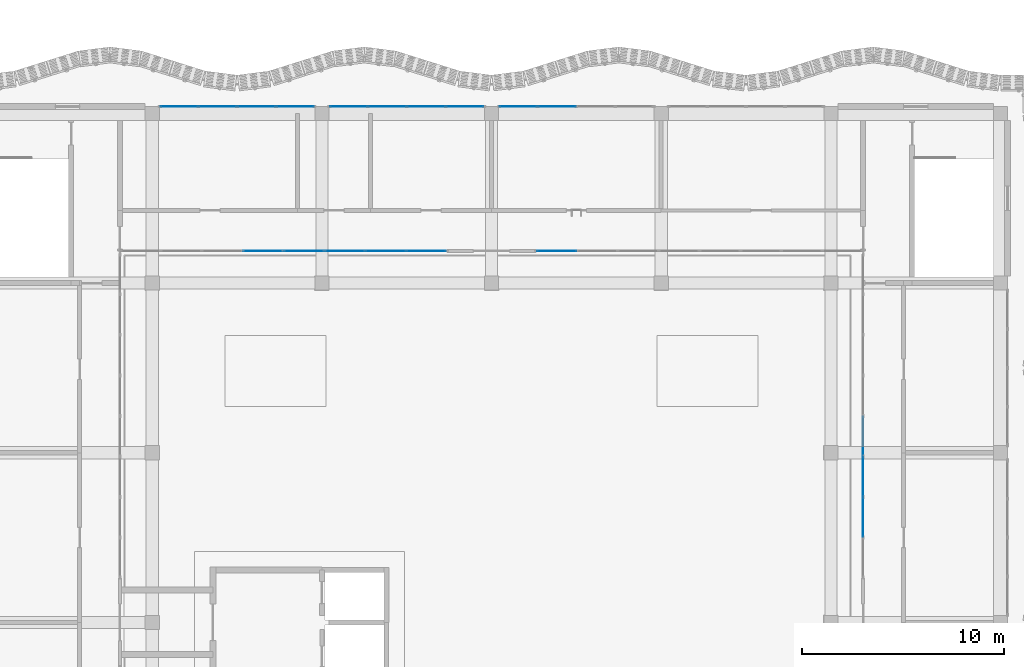
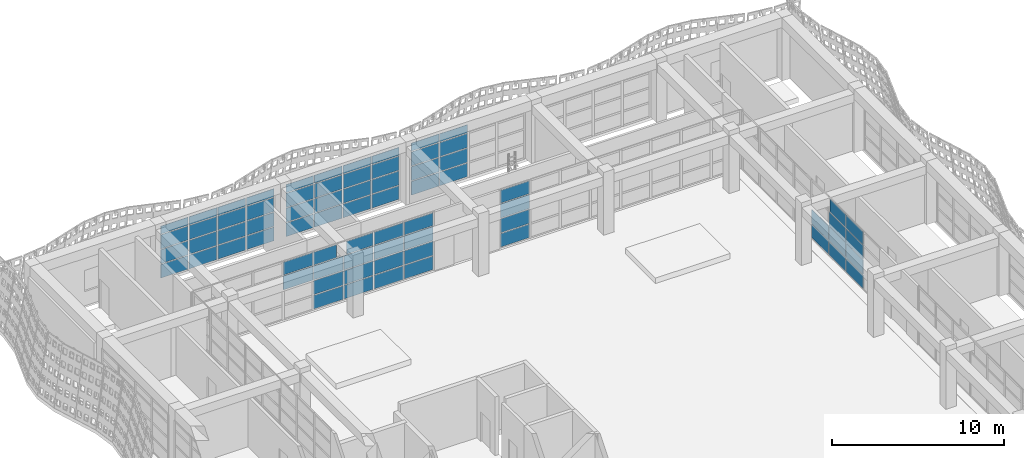
# One storey, part 32 of 85: 72 plates, 6 elements without a shape of their own.
"""IFC4 building model written with IfcOpenShell, lengths in metres."""

from ifc_helpers import new_model, si_unit, direction, frame, origin, origin_2d, place, context, subcontext, project, spatial, rectangle, extrude, material, layer, layer_set, type_object, element, aggregate, save


model = new_model("IFC4")

# Units and contexts
model_context = context("Model", 3, precision=1e-05, world=origin(), true_north=direction((0.0, 1.0)))
body_context = subcontext(model_context, "Body", "Model", "MODEL_VIEW")
ifc_project = project(units=[si_unit("LENGTHUNIT", "METRE"), si_unit("AREAUNIT", "SQUARE_METRE"), si_unit("VOLUMEUNIT", "CUBIC_METRE"), si_unit("PLANEANGLEUNIT", "RADIAN"), si_unit("MASSUNIT", "GRAM", prefix="KILO")], contexts=[model_context])

# Site, building, storey
site_placement = place(None, origin())
site = spatial("IfcSite", under=ifc_project, at=site_placement, CompositionType="ELEMENT")
building_placement = place(site_placement, origin())
building = spatial("IfcBuilding", under=site, at=building_placement, Name="Rain Tree Exposition and Congress Centre", CompositionType="ELEMENT")
storey_placement = place(building_placement, frame((0.0, 0.0, 15.0)))
storey = spatial("IfcBuildingStorey", under=building, at=storey_placement, Name="L03", CompositionType="ELEMENT", Elevation=15.0)

# Curtain wall, plates
ifc_material_1 = material(Name="Aluminium curtain wall", Category="aluminium")
curtain_wall_type = type_object("IfcCurtainWallType", Name="Wing curtain wall 1925", PredefinedType="NOTDEFINED", material=ifc_material_1)
curtain_wall_1_placement = place(storey_placement, origin())
curtain_wall_1 = element("IfcCurtainWall", 1, at=curtain_wall_1_placement, inside=storey, type_object=curtain_wall_type, Name="Curtain wall CWW404", PredefinedType="NOTDEFINED")
ifc_material_2 = material(Name="Double glazed unit", Category="glass")
ifc_layer = layer(ifc_material_2, 0.028076171875)
ifc_layer_set = layer_set([ifc_layer], Name="Double glazed unit")
plate_type = type_object("IfcPlateType", Name="Wing glazing panel 28", PredefinedType="CURTAIN_PANEL", material=ifc_layer_set)
plate_1_placement = place(storey_placement, frame((9.7275390625, 50.75, 0.06005859375), z_axis=(0.0, 0.0, 1.0), x_axis=(1.0, 0.0, 0.0)))
plate_1 = element("IfcPlate", 2, at=plate_1_placement, type_object=plate_type, Name="CWW404 panel 1.1", PredefinedType="CURTAIN_PANEL", context=body_context, shape_type="SweptSolid", body=[
    extrude(rectangle(XDim=1.8349609375, YDim=0.028076171875, at=origin_2d()), origin(), (0.0, 0.0, 1.0), 0.9599609375),
])
plate_2_placement = place(storey_placement, frame((9.7275390625, 50.75, 1.080078125), z_axis=(0.0, 0.0, 1.0), x_axis=(1.0, 0.0, 0.0)))
plate_2 = element("IfcPlate", 3, at=plate_2_placement, type_object=plate_type, Name="CWW404 panel 1.2", PredefinedType="CURTAIN_PANEL", context=body_context, shape_type="SweptSolid", body=[
    extrude(rectangle(XDim=1.8349609375, YDim=0.028076171875, at=origin_2d()), origin(), (0.0, 0.0, 1.0), 0.989990234375),
])
plate_3_placement = place(storey_placement, frame((9.7275390625, 50.75, 2.1298828125), z_axis=(0.0, 0.0, 1.0), x_axis=(1.0, 0.0, 0.0)))
plate_3 = element("IfcPlate", 4, at=plate_3_placement, type_object=plate_type, Name="CWW404 panel 1.3", PredefinedType="CURTAIN_PANEL", context=body_context, shape_type="SweptSolid", body=[
    extrude(rectangle(XDim=1.8349609375, YDim=0.028076171875, at=origin_2d()), origin(), (0.0, 0.0, 1.0), 0.989990234375),
])
plate_4_placement = place(storey_placement, frame((9.7275390625, 50.75, 3.179931640625), z_axis=(0.0, 0.0, 1.0), x_axis=(1.0, 0.0, 0.0)))
plate_4 = element("IfcPlate", 5, at=plate_4_placement, type_object=plate_type, Name="CWW404 panel 1.4", PredefinedType="CURTAIN_PANEL", context=body_context, shape_type="SweptSolid", body=[
    extrude(rectangle(XDim=1.8349609375, YDim=0.028076171875, at=origin_2d()), origin(), (0.0, 0.0, 1.0), 0.56005859375),
])
plate_5_placement = place(storey_placement, frame((11.637451171875, 50.75, 0.06005859375), z_axis=(0.0, 0.0, 1.0), x_axis=(1.0, 0.0, 0.0)))
plate_5 = element("IfcPlate", 6, at=plate_5_placement, type_object=plate_type, Name="CWW404 panel 2.1", PredefinedType="CURTAIN_PANEL", context=body_context, shape_type="SweptSolid", body=[
    extrude(rectangle(XDim=1.864990234375, YDim=0.028076171875, at=origin_2d()), origin(), (0.0, 0.0, 1.0), 0.9599609375),
])
plate_6_placement = place(storey_placement, frame((11.637451171875, 50.75, 1.080078125), z_axis=(0.0, 0.0, 1.0), x_axis=(1.0, 0.0, 0.0)))
plate_6 = element("IfcPlate", 7, at=plate_6_placement, type_object=plate_type, Name="CWW404 panel 2.2", PredefinedType="CURTAIN_PANEL", context=body_context, shape_type="SweptSolid", body=[
    extrude(rectangle(XDim=1.864990234375, YDim=0.028076171875, at=origin_2d()), origin(), (0.0, 0.0, 1.0), 0.989990234375),
])
plate_7_placement = place(storey_placement, frame((11.637451171875, 50.75, 2.1298828125), z_axis=(0.0, 0.0, 1.0), x_axis=(1.0, 0.0, 0.0)))
plate_7 = element("IfcPlate", 8, at=plate_7_placement, type_object=plate_type, Name="CWW404 panel 2.3", PredefinedType="CURTAIN_PANEL", context=body_context, shape_type="SweptSolid", body=[
    extrude(rectangle(XDim=1.864990234375, YDim=0.028076171875, at=origin_2d()), origin(), (0.0, 0.0, 1.0), 0.989990234375),
])
plate_8_placement = place(storey_placement, frame((11.637451171875, 50.75, 3.179931640625), z_axis=(0.0, 0.0, 1.0), x_axis=(1.0, 0.0, 0.0)))
plate_8 = element("IfcPlate", 9, at=plate_8_placement, type_object=plate_type, Name="CWW404 panel 2.4", PredefinedType="CURTAIN_PANEL", context=body_context, shape_type="SweptSolid", body=[
    extrude(rectangle(XDim=1.864990234375, YDim=0.028076171875, at=origin_2d()), origin(), (0.0, 0.0, 1.0), 0.56005859375),
])
plate_9_placement = place(storey_placement, frame((13.5625, 50.75, 0.06005859375), z_axis=(0.0, 0.0, 1.0), x_axis=(1.0, 0.0, 0.0)))
plate_9 = element("IfcPlate", 10, at=plate_9_placement, type_object=plate_type, Name="CWW404 panel 3.1", PredefinedType="CURTAIN_PANEL", context=body_context, shape_type="SweptSolid", body=[
    extrude(rectangle(XDim=1.864990234375, YDim=0.028076171875, at=origin_2d()), origin(), (0.0, 0.0, 1.0), 0.9599609375),
])
plate_10_placement = place(storey_placement, frame((13.5625, 50.75, 1.080078125), z_axis=(0.0, 0.0, 1.0), x_axis=(1.0, 0.0, 0.0)))
plate_10 = element("IfcPlate", 11, at=plate_10_placement, type_object=plate_type, Name="CWW404 panel 3.2", PredefinedType="CURTAIN_PANEL", context=body_context, shape_type="SweptSolid", body=[
    extrude(rectangle(XDim=1.864990234375, YDim=0.028076171875, at=origin_2d()), origin(), (0.0, 0.0, 1.0), 0.989990234375),
])
plate_11_placement = place(storey_placement, frame((13.5625, 50.75, 2.1298828125), z_axis=(0.0, 0.0, 1.0), x_axis=(1.0, 0.0, 0.0)))
plate_11 = element("IfcPlate", 12, at=plate_11_placement, type_object=plate_type, Name="CWW404 panel 3.3", PredefinedType="CURTAIN_PANEL", context=body_context, shape_type="SweptSolid", body=[
    extrude(rectangle(XDim=1.864990234375, YDim=0.028076171875, at=origin_2d()), origin(), (0.0, 0.0, 1.0), 0.989990234375),
])
plate_12_placement = place(storey_placement, frame((13.5625, 50.75, 3.179931640625), z_axis=(0.0, 0.0, 1.0), x_axis=(1.0, 0.0, 0.0)))
plate_12 = element("IfcPlate", 13, at=plate_12_placement, type_object=plate_type, Name="CWW404 panel 3.4", PredefinedType="CURTAIN_PANEL", context=body_context, shape_type="SweptSolid", body=[
    extrude(rectangle(XDim=1.864990234375, YDim=0.028076171875, at=origin_2d()), origin(), (0.0, 0.0, 1.0), 0.56005859375),
])
plate_13_placement = place(storey_placement, frame((15.472412109375, 50.75, 0.06005859375), z_axis=(0.0, 0.0, 1.0), x_axis=(1.0, 0.0, 0.0)))
plate_13 = element("IfcPlate", 14, at=plate_13_placement, type_object=plate_type, Name="CWW404 panel 4.1", PredefinedType="CURTAIN_PANEL", context=body_context, shape_type="SweptSolid", body=[
    extrude(rectangle(XDim=1.8349609375, YDim=0.028076171875, at=origin_2d()), origin(), (0.0, 0.0, 1.0), 0.9599609375),
])
plate_14_placement = place(storey_placement, frame((15.472412109375, 50.75, 1.080078125), z_axis=(0.0, 0.0, 1.0), x_axis=(1.0, 0.0, 0.0)))
plate_14 = element("IfcPlate", 15, at=plate_14_placement, type_object=plate_type, Name="CWW404 panel 4.2", PredefinedType="CURTAIN_PANEL", context=body_context, shape_type="SweptSolid", body=[
    extrude(rectangle(XDim=1.8349609375, YDim=0.028076171875, at=origin_2d()), origin(), (0.0, 0.0, 1.0), 0.989990234375),
])
plate_15_placement = place(storey_placement, frame((15.472412109375, 50.75, 2.1298828125), z_axis=(0.0, 0.0, 1.0), x_axis=(1.0, 0.0, 0.0)))
plate_15 = element("IfcPlate", 16, at=plate_15_placement, type_object=plate_type, Name="CWW404 panel 4.3", PredefinedType="CURTAIN_PANEL", context=body_context, shape_type="SweptSolid", body=[
    extrude(rectangle(XDim=1.8349609375, YDim=0.028076171875, at=origin_2d()), origin(), (0.0, 0.0, 1.0), 0.989990234375),
])
plate_16_placement = place(storey_placement, frame((15.472412109375, 50.75, 3.179931640625), z_axis=(0.0, 0.0, 1.0), x_axis=(1.0, 0.0, 0.0)))
plate_16 = element("IfcPlate", 17, at=plate_16_placement, type_object=plate_type, Name="CWW404 panel 4.4", PredefinedType="CURTAIN_PANEL", context=body_context, shape_type="SweptSolid", body=[
    extrude(rectangle(XDim=1.8349609375, YDim=0.028076171875, at=origin_2d()), origin(), (0.0, 0.0, 1.0), 0.56005859375),
])
aggregate(curtain_wall_1, [plate_1, plate_2, plate_3, plate_4, plate_5, plate_6, plate_7, plate_8, plate_9, plate_10, plate_11, plate_12, plate_13, plate_14, plate_15, plate_16])

curtain_wall_2_placement = place(storey_placement, origin())
curtain_wall_2 = element("IfcCurtainWall", 18, at=curtain_wall_2_placement, inside=storey, type_object=curtain_wall_type, Name="Curtain wall CWW405", PredefinedType="NOTDEFINED")
plate_17_placement = place(storey_placement, frame((18.12744140625, 50.75, 0.06005859375), z_axis=(0.0, 0.0, 1.0), x_axis=(1.0, 0.0, 0.0)))
plate_17 = element("IfcPlate", 19, at=plate_17_placement, type_object=plate_type, Name="CWW405 panel 1.1", PredefinedType="CURTAIN_PANEL", context=body_context, shape_type="SweptSolid", body=[
    extrude(rectangle(XDim=1.8349609375, YDim=0.028076171875, at=origin_2d()), origin(), (0.0, 0.0, 1.0), 0.9599609375),
])
plate_18_placement = place(storey_placement, frame((18.12744140625, 50.75, 1.080078125), z_axis=(0.0, 0.0, 1.0), x_axis=(1.0, 0.0, 0.0)))
plate_18 = element("IfcPlate", 20, at=plate_18_placement, type_object=plate_type, Name="CWW405 panel 1.2", PredefinedType="CURTAIN_PANEL", context=body_context, shape_type="SweptSolid", body=[
    extrude(rectangle(XDim=1.8349609375, YDim=0.028076171875, at=origin_2d()), origin(), (0.0, 0.0, 1.0), 0.989990234375),
])
plate_19_placement = place(storey_placement, frame((18.12744140625, 50.75, 2.1298828125), z_axis=(0.0, 0.0, 1.0), x_axis=(1.0, 0.0, 0.0)))
plate_19 = element("IfcPlate", 21, at=plate_19_placement, type_object=plate_type, Name="CWW405 panel 1.3", PredefinedType="CURTAIN_PANEL", context=body_context, shape_type="SweptSolid", body=[
    extrude(rectangle(XDim=1.8349609375, YDim=0.028076171875, at=origin_2d()), origin(), (0.0, 0.0, 1.0), 0.989990234375),
])
plate_20_placement = place(storey_placement, frame((18.12744140625, 50.75, 3.179931640625), z_axis=(0.0, 0.0, 1.0), x_axis=(1.0, 0.0, 0.0)))
plate_20 = element("IfcPlate", 22, at=plate_20_placement, type_object=plate_type, Name="CWW405 panel 1.4", PredefinedType="CURTAIN_PANEL", context=body_context, shape_type="SweptSolid", body=[
    extrude(rectangle(XDim=1.8349609375, YDim=0.028076171875, at=origin_2d()), origin(), (0.0, 0.0, 1.0), 0.56005859375),
])
plate_21_placement = place(storey_placement, frame((20.03759765625, 50.75, 0.06005859375), z_axis=(0.0, 0.0, 1.0), x_axis=(1.0, 0.0, 0.0)))
plate_21 = element("IfcPlate", 23, at=plate_21_placement, type_object=plate_type, Name="CWW405 panel 2.1", PredefinedType="CURTAIN_PANEL", context=body_context, shape_type="SweptSolid", body=[
    extrude(rectangle(XDim=1.864990234375, YDim=0.028076171875, at=origin_2d()), origin(), (0.0, 0.0, 1.0), 0.9599609375),
])
plate_22_placement = place(storey_placement, frame((20.03759765625, 50.75, 1.080078125), z_axis=(0.0, 0.0, 1.0), x_axis=(1.0, 0.0, 0.0)))
plate_22 = element("IfcPlate", 24, at=plate_22_placement, type_object=plate_type, Name="CWW405 panel 2.2", PredefinedType="CURTAIN_PANEL", context=body_context, shape_type="SweptSolid", body=[
    extrude(rectangle(XDim=1.864990234375, YDim=0.028076171875, at=origin_2d()), origin(), (0.0, 0.0, 1.0), 0.989990234375),
])
plate_23_placement = place(storey_placement, frame((20.03759765625, 50.75, 2.1298828125), z_axis=(0.0, 0.0, 1.0), x_axis=(1.0, 0.0, 0.0)))
plate_23 = element("IfcPlate", 25, at=plate_23_placement, type_object=plate_type, Name="CWW405 panel 2.3", PredefinedType="CURTAIN_PANEL", context=body_context, shape_type="SweptSolid", body=[
    extrude(rectangle(XDim=1.864990234375, YDim=0.028076171875, at=origin_2d()), origin(), (0.0, 0.0, 1.0), 0.989990234375),
])
plate_24_placement = place(storey_placement, frame((20.03759765625, 50.75, 3.179931640625), z_axis=(0.0, 0.0, 1.0), x_axis=(1.0, 0.0, 0.0)))
plate_24 = element("IfcPlate", 26, at=plate_24_placement, type_object=plate_type, Name="CWW405 panel 2.4", PredefinedType="CURTAIN_PANEL", context=body_context, shape_type="SweptSolid", body=[
    extrude(rectangle(XDim=1.864990234375, YDim=0.028076171875, at=origin_2d()), origin(), (0.0, 0.0, 1.0), 0.56005859375),
])
plate_25_placement = place(storey_placement, frame((21.96240234375, 50.75, 0.06005859375), z_axis=(0.0, 0.0, 1.0), x_axis=(1.0, 0.0, 0.0)))
plate_25 = element("IfcPlate", 27, at=plate_25_placement, type_object=plate_type, Name="CWW405 panel 3.1", PredefinedType="CURTAIN_PANEL", context=body_context, shape_type="SweptSolid", body=[
    extrude(rectangle(XDim=1.864990234375, YDim=0.028076171875, at=origin_2d()), origin(), (0.0, 0.0, 1.0), 0.9599609375),
])
plate_26_placement = place(storey_placement, frame((21.96240234375, 50.75, 1.080078125), z_axis=(0.0, 0.0, 1.0), x_axis=(1.0, 0.0, 0.0)))
plate_26 = element("IfcPlate", 28, at=plate_26_placement, type_object=plate_type, Name="CWW405 panel 3.2", PredefinedType="CURTAIN_PANEL", context=body_context, shape_type="SweptSolid", body=[
    extrude(rectangle(XDim=1.864990234375, YDim=0.028076171875, at=origin_2d()), origin(), (0.0, 0.0, 1.0), 0.989990234375),
])
plate_27_placement = place(storey_placement, frame((21.96240234375, 50.75, 2.1298828125), z_axis=(0.0, 0.0, 1.0), x_axis=(1.0, 0.0, 0.0)))
plate_27 = element("IfcPlate", 29, at=plate_27_placement, type_object=plate_type, Name="CWW405 panel 3.3", PredefinedType="CURTAIN_PANEL", context=body_context, shape_type="SweptSolid", body=[
    extrude(rectangle(XDim=1.864990234375, YDim=0.028076171875, at=origin_2d()), origin(), (0.0, 0.0, 1.0), 0.989990234375),
])
plate_28_placement = place(storey_placement, frame((21.96240234375, 50.75, 3.179931640625), z_axis=(0.0, 0.0, 1.0), x_axis=(1.0, 0.0, 0.0)))
plate_28 = element("IfcPlate", 30, at=plate_28_placement, type_object=plate_type, Name="CWW405 panel 3.4", PredefinedType="CURTAIN_PANEL", context=body_context, shape_type="SweptSolid", body=[
    extrude(rectangle(XDim=1.864990234375, YDim=0.028076171875, at=origin_2d()), origin(), (0.0, 0.0, 1.0), 0.56005859375),
])
plate_29_placement = place(storey_placement, frame((23.87255859375, 50.75, 0.06005859375), z_axis=(0.0, 0.0, 1.0), x_axis=(1.0, 0.0, 0.0)))
plate_29 = element("IfcPlate", 31, at=plate_29_placement, type_object=plate_type, Name="CWW405 panel 4.1", PredefinedType="CURTAIN_PANEL", context=body_context, shape_type="SweptSolid", body=[
    extrude(rectangle(XDim=1.8349609375, YDim=0.028076171875, at=origin_2d()), origin(), (0.0, 0.0, 1.0), 0.9599609375),
])
plate_30_placement = place(storey_placement, frame((23.87255859375, 50.75, 1.080078125), z_axis=(0.0, 0.0, 1.0), x_axis=(1.0, 0.0, 0.0)))
plate_30 = element("IfcPlate", 32, at=plate_30_placement, type_object=plate_type, Name="CWW405 panel 4.2", PredefinedType="CURTAIN_PANEL", context=body_context, shape_type="SweptSolid", body=[
    extrude(rectangle(XDim=1.8349609375, YDim=0.028076171875, at=origin_2d()), origin(), (0.0, 0.0, 1.0), 0.989990234375),
])
plate_31_placement = place(storey_placement, frame((23.87255859375, 50.75, 2.1298828125), z_axis=(0.0, 0.0, 1.0), x_axis=(1.0, 0.0, 0.0)))
plate_31 = element("IfcPlate", 33, at=plate_31_placement, type_object=plate_type, Name="CWW405 panel 4.3", PredefinedType="CURTAIN_PANEL", context=body_context, shape_type="SweptSolid", body=[
    extrude(rectangle(XDim=1.8349609375, YDim=0.028076171875, at=origin_2d()), origin(), (0.0, 0.0, 1.0), 0.989990234375),
])
plate_32_placement = place(storey_placement, frame((23.87255859375, 50.75, 3.179931640625), z_axis=(0.0, 0.0, 1.0), x_axis=(1.0, 0.0, 0.0)))
plate_32 = element("IfcPlate", 34, at=plate_32_placement, type_object=plate_type, Name="CWW405 panel 4.4", PredefinedType="CURTAIN_PANEL", context=body_context, shape_type="SweptSolid", body=[
    extrude(rectangle(XDim=1.8349609375, YDim=0.028076171875, at=origin_2d()), origin(), (0.0, 0.0, 1.0), 0.56005859375),
])
aggregate(curtain_wall_2, [plate_17, plate_18, plate_19, plate_20, plate_21, plate_22, plate_23, plate_24, plate_25, plate_26, plate_27, plate_28, plate_29, plate_30, plate_31, plate_32])

curtain_wall_3_placement = place(storey_placement, origin())
curtain_wall_3 = element("IfcCurtainWall", 35, at=curtain_wall_3_placement, inside=storey, type_object=curtain_wall_type, Name="Curtain wall CWW406", PredefinedType="NOTDEFINED")
plate_33_placement = place(storey_placement, frame((26.527587890625, 50.75, 0.06005859375), z_axis=(0.0, 0.0, 1.0), x_axis=(1.0, 0.0, 0.0)))
plate_33 = element("IfcPlate", 36, at=plate_33_placement, type_object=plate_type, Name="CWW406 panel 1.1", PredefinedType="CURTAIN_PANEL", context=body_context, shape_type="SweptSolid", body=[
    extrude(rectangle(XDim=1.8349609375, YDim=0.028076171875, at=origin_2d()), origin(), (0.0, 0.0, 1.0), 0.9599609375),
])
plate_34_placement = place(storey_placement, frame((26.527587890625, 50.75, 1.080078125), z_axis=(0.0, 0.0, 1.0), x_axis=(1.0, 0.0, 0.0)))
plate_34 = element("IfcPlate", 37, at=plate_34_placement, type_object=plate_type, Name="CWW406 panel 1.2", PredefinedType="CURTAIN_PANEL", context=body_context, shape_type="SweptSolid", body=[
    extrude(rectangle(XDim=1.8349609375, YDim=0.028076171875, at=origin_2d()), origin(), (0.0, 0.0, 1.0), 0.989990234375),
])
plate_35_placement = place(storey_placement, frame((26.527587890625, 50.75, 2.1298828125), z_axis=(0.0, 0.0, 1.0), x_axis=(1.0, 0.0, 0.0)))
plate_35 = element("IfcPlate", 38, at=plate_35_placement, type_object=plate_type, Name="CWW406 panel 1.3", PredefinedType="CURTAIN_PANEL", context=body_context, shape_type="SweptSolid", body=[
    extrude(rectangle(XDim=1.8349609375, YDim=0.028076171875, at=origin_2d()), origin(), (0.0, 0.0, 1.0), 0.989990234375),
])
plate_36_placement = place(storey_placement, frame((26.527587890625, 50.75, 3.179931640625), z_axis=(0.0, 0.0, 1.0), x_axis=(1.0, 0.0, 0.0)))
plate_36 = element("IfcPlate", 39, at=plate_36_placement, type_object=plate_type, Name="CWW406 panel 1.4", PredefinedType="CURTAIN_PANEL", context=body_context, shape_type="SweptSolid", body=[
    extrude(rectangle(XDim=1.8349609375, YDim=0.028076171875, at=origin_2d()), origin(), (0.0, 0.0, 1.0), 0.56005859375),
])
plate_37_placement = place(storey_placement, frame((28.4375, 50.75, 0.06005859375), z_axis=(0.0, 0.0, 1.0), x_axis=(1.0, 0.0, 0.0)))
plate_37 = element("IfcPlate", 40, at=plate_37_placement, type_object=plate_type, Name="CWW406 panel 2.1", PredefinedType="CURTAIN_PANEL", context=body_context, shape_type="SweptSolid", body=[
    extrude(rectangle(XDim=1.864990234375, YDim=0.028076171875, at=origin_2d()), origin(), (0.0, 0.0, 1.0), 0.9599609375),
])
plate_38_placement = place(storey_placement, frame((28.4375, 50.75, 1.080078125), z_axis=(0.0, 0.0, 1.0), x_axis=(1.0, 0.0, 0.0)))
plate_38 = element("IfcPlate", 41, at=plate_38_placement, type_object=plate_type, Name="CWW406 panel 2.2", PredefinedType="CURTAIN_PANEL", context=body_context, shape_type="SweptSolid", body=[
    extrude(rectangle(XDim=1.864990234375, YDim=0.028076171875, at=origin_2d()), origin(), (0.0, 0.0, 1.0), 0.989990234375),
])
plate_39_placement = place(storey_placement, frame((28.4375, 50.75, 2.1298828125), z_axis=(0.0, 0.0, 1.0), x_axis=(1.0, 0.0, 0.0)))
plate_39 = element("IfcPlate", 42, at=plate_39_placement, type_object=plate_type, Name="CWW406 panel 2.3", PredefinedType="CURTAIN_PANEL", context=body_context, shape_type="SweptSolid", body=[
    extrude(rectangle(XDim=1.864990234375, YDim=0.028076171875, at=origin_2d()), origin(), (0.0, 0.0, 1.0), 0.989990234375),
])
plate_40_placement = place(storey_placement, frame((28.4375, 50.75, 3.179931640625), z_axis=(0.0, 0.0, 1.0), x_axis=(1.0, 0.0, 0.0)))
plate_40 = element("IfcPlate", 43, at=plate_40_placement, type_object=plate_type, Name="CWW406 panel 2.4", PredefinedType="CURTAIN_PANEL", context=body_context, shape_type="SweptSolid", body=[
    extrude(rectangle(XDim=1.864990234375, YDim=0.028076171875, at=origin_2d()), origin(), (0.0, 0.0, 1.0), 0.56005859375),
])
aggregate(curtain_wall_3, [plate_33, plate_34, plate_35, plate_36, plate_37, plate_38, plate_39, plate_40])

curtain_wall_4_placement = place(storey_placement, origin())
curtain_wall_4 = element("IfcCurtainWall", 44, at=curtain_wall_4_placement, inside=storey, type_object=curtain_wall_type, Name="Curtain wall CWW503", PredefinedType="NOTDEFINED")
plate_41_placement = place(storey_placement, frame((13.887451171875, 43.60009765625, 2.1298828125), z_axis=(0.0, 0.0, 1.0), x_axis=(1.0, 0.0, 0.0)))
plate_41 = element("IfcPlate", 45, at=plate_41_placement, type_object=plate_type, Name="CWW503 panel 4.3", PredefinedType="CURTAIN_PANEL", context=body_context, shape_type="SweptSolid", body=[
    extrude(rectangle(XDim=1.965087890625, YDim=0.028076171875, at=origin_2d()), origin(), (0.0, 0.0, 1.0), 0.989990234375),
])
plate_42_placement = place(storey_placement, frame((13.887451171875, 43.60009765625, 3.18017578125), z_axis=(0.0, 0.0, 1.0), x_axis=(1.0, 0.0, 0.0)))
plate_42 = element("IfcPlate", 46, at=plate_42_placement, type_object=plate_type, Name="CWW503 panel 4.4", PredefinedType="CURTAIN_PANEL", context=body_context, shape_type="SweptSolid", body=[
    extrude(rectangle(XDim=1.965087890625, YDim=0.028076171875, at=origin_2d()), origin(), (0.0, 0.0, 1.0), 0.909912109375),
])
plate_43_placement = place(storey_placement, frame((15.91259765625, 43.60009765625, 0.06005859375), z_axis=(0.0, 0.0, 1.0), x_axis=(1.0, 0.0, 0.0)))
plate_43 = element("IfcPlate", 47, at=plate_43_placement, type_object=plate_type, Name="CWW503 panel 5.1", PredefinedType="CURTAIN_PANEL", context=body_context, shape_type="SweptSolid", body=[
    extrude(rectangle(XDim=1.965087890625, YDim=0.028076171875, at=origin_2d()), origin(), (0.0, 0.0, 1.0), 0.9599609375),
])
plate_44_placement = place(storey_placement, frame((15.91259765625, 43.60009765625, 1.080078125), z_axis=(0.0, 0.0, 1.0), x_axis=(1.0, 0.0, 0.0)))
plate_44 = element("IfcPlate", 48, at=plate_44_placement, type_object=plate_type, Name="CWW503 panel 5.2", PredefinedType="CURTAIN_PANEL", context=body_context, shape_type="SweptSolid", body=[
    extrude(rectangle(XDim=1.965087890625, YDim=0.028076171875, at=origin_2d()), origin(), (0.0, 0.0, 1.0), 0.989990234375),
])
plate_45_placement = place(storey_placement, frame((15.91259765625, 43.60009765625, 2.1298828125), z_axis=(0.0, 0.0, 1.0), x_axis=(1.0, 0.0, 0.0)))
plate_45 = element("IfcPlate", 49, at=plate_45_placement, type_object=plate_type, Name="CWW503 panel 5.3", PredefinedType="CURTAIN_PANEL", context=body_context, shape_type="SweptSolid", body=[
    extrude(rectangle(XDim=1.965087890625, YDim=0.028076171875, at=origin_2d()), origin(), (0.0, 0.0, 1.0), 0.989990234375),
])
plate_46_placement = place(storey_placement, frame((15.699951171875, 43.60009765625, 3.18017578125), z_axis=(0.0, 0.0, 1.0), x_axis=(1.0, 0.0, 0.0)))
plate_46 = element("IfcPlate", 50, at=plate_46_placement, type_object=plate_type, Name="CWW503 panel 5.4", PredefinedType="CURTAIN_PANEL", context=body_context, shape_type="SweptSolid", body=[
    extrude(rectangle(XDim=1.5400390625, YDim=0.028076171875, at=origin_2d()), origin(), (0.0, 0.0, 1.0), 0.909912109375),
])
plate_47_placement = place(storey_placement, frame((17.9375, 43.60009765625, 0.06005859375), z_axis=(0.0, 0.0, 1.0), x_axis=(1.0, 0.0, 0.0)))
plate_47 = element("IfcPlate", 51, at=plate_47_placement, type_object=plate_type, Name="CWW503 panel 6.1", PredefinedType="CURTAIN_PANEL", context=body_context, shape_type="SweptSolid", body=[
    extrude(rectangle(XDim=1.965087890625, YDim=0.028076171875, at=origin_2d()), origin(), (0.0, 0.0, 1.0), 0.9599609375),
])
plate_48_placement = place(storey_placement, frame((17.9375, 43.60009765625, 1.080078125), z_axis=(0.0, 0.0, 1.0), x_axis=(1.0, 0.0, 0.0)))
plate_48 = element("IfcPlate", 52, at=plate_48_placement, type_object=plate_type, Name="CWW503 panel 6.2", PredefinedType="CURTAIN_PANEL", context=body_context, shape_type="SweptSolid", body=[
    extrude(rectangle(XDim=1.965087890625, YDim=0.028076171875, at=origin_2d()), origin(), (0.0, 0.0, 1.0), 0.989990234375),
])
plate_49_placement = place(storey_placement, frame((17.9375, 43.60009765625, 2.1298828125), z_axis=(0.0, 0.0, 1.0), x_axis=(1.0, 0.0, 0.0)))
plate_49 = element("IfcPlate", 53, at=plate_49_placement, type_object=plate_type, Name="CWW503 panel 6.3", PredefinedType="CURTAIN_PANEL", context=body_context, shape_type="SweptSolid", body=[
    extrude(rectangle(XDim=1.965087890625, YDim=0.028076171875, at=origin_2d()), origin(), (0.0, 0.0, 1.0), 0.989990234375),
])
plate_50_placement = place(storey_placement, frame((18.02490234375, 43.60009765625, 3.18017578125), z_axis=(0.0, 0.0, 1.0), x_axis=(1.0, 0.0, 0.0)))
plate_50 = element("IfcPlate", 54, at=plate_50_placement, type_object=plate_type, Name="CWW503 panel 6.4", PredefinedType="CURTAIN_PANEL", context=body_context, shape_type="SweptSolid", body=[
    extrude(rectangle(XDim=1.7900390625, YDim=0.028076171875, at=origin_2d()), origin(), (0.0, 0.0, 1.0), 0.909912109375),
])
plate_51_placement = place(storey_placement, frame((19.96240234375, 43.60009765625, 0.06005859375), z_axis=(0.0, 0.0, 1.0), x_axis=(1.0, 0.0, 0.0)))
plate_51 = element("IfcPlate", 55, at=plate_51_placement, type_object=plate_type, Name="CWW503 panel 7.1", PredefinedType="CURTAIN_PANEL", context=body_context, shape_type="SweptSolid", body=[
    extrude(rectangle(XDim=1.965087890625, YDim=0.028076171875, at=origin_2d()), origin(), (0.0, 0.0, 1.0), 0.9599609375),
])
plate_52_placement = place(storey_placement, frame((19.96240234375, 43.60009765625, 1.080078125), z_axis=(0.0, 0.0, 1.0), x_axis=(1.0, 0.0, 0.0)))
plate_52 = element("IfcPlate", 56, at=plate_52_placement, type_object=plate_type, Name="CWW503 panel 7.2", PredefinedType="CURTAIN_PANEL", context=body_context, shape_type="SweptSolid", body=[
    extrude(rectangle(XDim=1.965087890625, YDim=0.028076171875, at=origin_2d()), origin(), (0.0, 0.0, 1.0), 0.989990234375),
])
plate_53_placement = place(storey_placement, frame((19.96240234375, 43.60009765625, 2.1298828125), z_axis=(0.0, 0.0, 1.0), x_axis=(1.0, 0.0, 0.0)))
plate_53 = element("IfcPlate", 57, at=plate_53_placement, type_object=plate_type, Name="CWW503 panel 7.3", PredefinedType="CURTAIN_PANEL", context=body_context, shape_type="SweptSolid", body=[
    extrude(rectangle(XDim=1.965087890625, YDim=0.028076171875, at=origin_2d()), origin(), (0.0, 0.0, 1.0), 0.989990234375),
])
plate_54_placement = place(storey_placement, frame((19.96240234375, 43.60009765625, 3.18017578125), z_axis=(0.0, 0.0, 1.0), x_axis=(1.0, 0.0, 0.0)))
plate_54 = element("IfcPlate", 58, at=plate_54_placement, type_object=plate_type, Name="CWW503 panel 7.4", PredefinedType="CURTAIN_PANEL", context=body_context, shape_type="SweptSolid", body=[
    extrude(rectangle(XDim=1.965087890625, YDim=0.028076171875, at=origin_2d()), origin(), (0.0, 0.0, 1.0), 0.909912109375),
])
plate_55_placement = place(storey_placement, frame((21.972412109375, 43.60009765625, 0.06005859375), z_axis=(0.0, 0.0, 1.0), x_axis=(1.0, 0.0, 0.0)))
plate_55 = element("IfcPlate", 59, at=plate_55_placement, type_object=plate_type, Name="CWW503 panel 8.1", PredefinedType="CURTAIN_PANEL", context=body_context, shape_type="SweptSolid", body=[
    extrude(rectangle(XDim=1.93505859375, YDim=0.028076171875, at=origin_2d()), origin(), (0.0, 0.0, 1.0), 0.9599609375),
])
plate_56_placement = place(storey_placement, frame((21.972412109375, 43.60009765625, 1.080078125), z_axis=(0.0, 0.0, 1.0), x_axis=(1.0, 0.0, 0.0)))
plate_56 = element("IfcPlate", 60, at=plate_56_placement, type_object=plate_type, Name="CWW503 panel 8.2", PredefinedType="CURTAIN_PANEL", context=body_context, shape_type="SweptSolid", body=[
    extrude(rectangle(XDim=1.93505859375, YDim=0.028076171875, at=origin_2d()), origin(), (0.0, 0.0, 1.0), 0.989990234375),
])
plate_57_placement = place(storey_placement, frame((21.972412109375, 43.60009765625, 2.1298828125), z_axis=(0.0, 0.0, 1.0), x_axis=(1.0, 0.0, 0.0)))
plate_57 = element("IfcPlate", 61, at=plate_57_placement, type_object=plate_type, Name="CWW503 panel 8.3", PredefinedType="CURTAIN_PANEL", context=body_context, shape_type="SweptSolid", body=[
    extrude(rectangle(XDim=1.93505859375, YDim=0.028076171875, at=origin_2d()), origin(), (0.0, 0.0, 1.0), 0.989990234375),
])
plate_58_placement = place(storey_placement, frame((21.972412109375, 43.60009765625, 3.18017578125), z_axis=(0.0, 0.0, 1.0), x_axis=(1.0, 0.0, 0.0)))
plate_58 = element("IfcPlate", 62, at=plate_58_placement, type_object=plate_type, Name="CWW503 panel 8.4", PredefinedType="CURTAIN_PANEL", context=body_context, shape_type="SweptSolid", body=[
    extrude(rectangle(XDim=1.93505859375, YDim=0.028076171875, at=origin_2d()), origin(), (0.0, 0.0, 1.0), 0.909912109375),
])
aggregate(curtain_wall_4, [plate_41, plate_42, plate_43, plate_44, plate_45, plate_46, plate_47, plate_48, plate_49, plate_50, plate_51, plate_52, plate_53, plate_54, plate_55, plate_56, plate_57, plate_58])

curtain_wall_5_placement = place(storey_placement, origin())
curtain_wall_5 = element("IfcCurtainWall", 63, at=curtain_wall_5_placement, inside=storey, type_object=curtain_wall_type, Name="Curtain wall CWW504", PredefinedType="NOTDEFINED")
plate_59_placement = place(storey_placement, frame((28.427490234375, 43.60009765625, 0.06005859375), z_axis=(0.0, 0.0, 1.0), x_axis=(1.0, 0.0, 0.0)))
plate_59 = element("IfcPlate", 64, at=plate_59_placement, type_object=plate_type, Name="CWW504 panel 1.1", PredefinedType="CURTAIN_PANEL", context=body_context, shape_type="SweptSolid", body=[
    extrude(rectangle(XDim=1.93505859375, YDim=0.028076171875, at=origin_2d()), origin(), (0.0, 0.0, 1.0), 0.9599609375),
])
plate_60_placement = place(storey_placement, frame((28.427490234375, 43.60009765625, 1.080078125), z_axis=(0.0, 0.0, 1.0), x_axis=(1.0, 0.0, 0.0)))
plate_60 = element("IfcPlate", 65, at=plate_60_placement, type_object=plate_type, Name="CWW504 panel 1.2", PredefinedType="CURTAIN_PANEL", context=body_context, shape_type="SweptSolid", body=[
    extrude(rectangle(XDim=1.93505859375, YDim=0.028076171875, at=origin_2d()), origin(), (0.0, 0.0, 1.0), 0.989990234375),
])
plate_61_placement = place(storey_placement, frame((28.427490234375, 43.60009765625, 2.1298828125), z_axis=(0.0, 0.0, 1.0), x_axis=(1.0, 0.0, 0.0)))
plate_61 = element("IfcPlate", 66, at=plate_61_placement, type_object=plate_type, Name="CWW504 panel 1.3", PredefinedType="CURTAIN_PANEL", context=body_context, shape_type="SweptSolid", body=[
    extrude(rectangle(XDim=1.93505859375, YDim=0.028076171875, at=origin_2d()), origin(), (0.0, 0.0, 1.0), 0.989990234375),
])
plate_62_placement = place(storey_placement, frame((28.427490234375, 43.60009765625, 3.18017578125), z_axis=(0.0, 0.0, 1.0), x_axis=(1.0, 0.0, 0.0)))
plate_62 = element("IfcPlate", 67, at=plate_62_placement, type_object=plate_type, Name="CWW504 panel 1.4", PredefinedType="CURTAIN_PANEL", context=body_context, shape_type="SweptSolid", body=[
    extrude(rectangle(XDim=1.93505859375, YDim=0.028076171875, at=origin_2d()), origin(), (0.0, 0.0, 1.0), 0.909912109375),
])
aggregate(curtain_wall_5, [plate_59, plate_60, plate_61, plate_62])

curtain_wall_6_placement = place(storey_placement, origin())
curtain_wall_6 = element("IfcCurtainWall", 68, at=curtain_wall_6_placement, inside=storey, type_object=curtain_wall_type, Name="Curtain wall CWW508", PredefinedType="NOTDEFINED")
plate_63_placement = place(storey_placement, frame((43.60009765625, 30.409423828125, 0.06005859375), z_axis=(0.0, 0.0, 1.0), x_axis=(0.0, 1.0, 0.0)))
plate_63 = element("IfcPlate", 69, at=plate_63_placement, type_object=plate_type, Name="CWW508 panel 2.1", PredefinedType="CURTAIN_PANEL", context=body_context, shape_type="SweptSolid", body=[
    extrude(rectangle(XDim=1.9462890625, YDim=0.028076171875, at=origin_2d()), origin(), (0.0, 0.0, 1.0), 0.9599609375),
])
plate_64_placement = place(storey_placement, frame((43.60009765625, 30.409423828125, 1.080078125), z_axis=(0.0, 0.0, 1.0), x_axis=(0.0, 1.0, 0.0)))
plate_64 = element("IfcPlate", 70, at=plate_64_placement, type_object=plate_type, Name="CWW508 panel 2.2", PredefinedType="CURTAIN_PANEL", context=body_context, shape_type="SweptSolid", body=[
    extrude(rectangle(XDim=1.9462890625, YDim=0.028076171875, at=origin_2d()), origin(), (0.0, 0.0, 1.0), 0.989990234375),
])
plate_65_placement = place(storey_placement, frame((43.60009765625, 30.409423828125, 2.1298828125), z_axis=(0.0, 0.0, 1.0), x_axis=(0.0, 1.0, 0.0)))
plate_65 = element("IfcPlate", 71, at=plate_65_placement, type_object=plate_type, Name="CWW508 panel 2.3", PredefinedType="CURTAIN_PANEL", context=body_context, shape_type="SweptSolid", body=[
    extrude(rectangle(XDim=1.9462890625, YDim=0.028076171875, at=origin_2d()), origin(), (0.0, 0.0, 1.0), 0.989990234375),
])
plate_66_placement = place(storey_placement, frame((43.60009765625, 30.409423828125, 3.18017578125), z_axis=(0.0, 0.0, 1.0), x_axis=(0.0, 1.0, 0.0)))
plate_66 = element("IfcPlate", 72, at=plate_66_placement, type_object=plate_type, Name="CWW508 panel 2.4", PredefinedType="CURTAIN_PANEL", context=body_context, shape_type="SweptSolid", body=[
    extrude(rectangle(XDim=1.9462890625, YDim=0.028076171875, at=origin_2d()), origin(), (0.0, 0.0, 1.0), 0.909912109375),
])
plate_67_placement = place(storey_placement, frame((43.60009765625, 32.41552734375, 0.06005859375), z_axis=(0.0, 0.0, 1.0), x_axis=(0.0, 1.0, 0.0)))
plate_67 = element("IfcPlate", 73, at=plate_67_placement, type_object=plate_type, Name="CWW508 panel 3.1", PredefinedType="CURTAIN_PANEL", context=body_context, shape_type="SweptSolid", body=[
    extrude(rectangle(XDim=1.9462890625, YDim=0.028076171875, at=origin_2d()), origin(), (0.0, 0.0, 1.0), 0.9599609375),
])
plate_68_placement = place(storey_placement, frame((43.60009765625, 32.41552734375, 1.080078125), z_axis=(0.0, 0.0, 1.0), x_axis=(0.0, 1.0, 0.0)))
plate_68 = element("IfcPlate", 74, at=plate_68_placement, type_object=plate_type, Name="CWW508 panel 3.2", PredefinedType="CURTAIN_PANEL", context=body_context, shape_type="SweptSolid", body=[
    extrude(rectangle(XDim=1.9462890625, YDim=0.028076171875, at=origin_2d()), origin(), (0.0, 0.0, 1.0), 0.989990234375),
])
plate_69_placement = place(storey_placement, frame((43.60009765625, 32.41552734375, 2.1298828125), z_axis=(0.0, 0.0, 1.0), x_axis=(0.0, 1.0, 0.0)))
plate_69 = element("IfcPlate", 75, at=plate_69_placement, type_object=plate_type, Name="CWW508 panel 3.3", PredefinedType="CURTAIN_PANEL", context=body_context, shape_type="SweptSolid", body=[
    extrude(rectangle(XDim=1.9462890625, YDim=0.028076171875, at=origin_2d()), origin(), (0.0, 0.0, 1.0), 0.989990234375),
])
plate_70_placement = place(storey_placement, frame((43.60009765625, 32.356201171875, 3.18017578125), z_axis=(0.0, 0.0, 1.0), x_axis=(0.0, 1.0, 0.0)))
plate_70 = element("IfcPlate", 76, at=plate_70_placement, type_object=plate_type, Name="CWW508 panel 3.4", PredefinedType="CURTAIN_PANEL", context=body_context, shape_type="SweptSolid", body=[
    extrude(rectangle(XDim=1.827392578125, YDim=0.028076171875, at=origin_2d()), origin(), (0.0, 0.0, 1.0), 0.909912109375),
])
plate_71_placement = place(storey_placement, frame((43.60009765625, 34.421875, 0.06005859375), z_axis=(0.0, 0.0, 1.0), x_axis=(0.0, 1.0, 0.0)))
plate_71 = element("IfcPlate", 77, at=plate_71_placement, type_object=plate_type, Name="CWW508 panel 4.1", PredefinedType="CURTAIN_PANEL", context=body_context, shape_type="SweptSolid", body=[
    extrude(rectangle(XDim=1.9462890625, YDim=0.028076171875, at=origin_2d()), origin(), (0.0, 0.0, 1.0), 0.9599609375),
])
plate_72_placement = place(storey_placement, frame((43.60009765625, 34.421875, 1.080078125), z_axis=(0.0, 0.0, 1.0), x_axis=(0.0, 1.0, 0.0)))
plate_72 = element("IfcPlate", 78, at=plate_72_placement, type_object=plate_type, Name="CWW508 panel 4.2", PredefinedType="CURTAIN_PANEL", context=body_context, shape_type="SweptSolid", body=[
    extrude(rectangle(XDim=1.9462890625, YDim=0.028076171875, at=origin_2d()), origin(), (0.0, 0.0, 1.0), 0.989990234375),
])
aggregate(curtain_wall_6, [plate_63, plate_64, plate_65, plate_66, plate_67, plate_68, plate_69, plate_70, plate_71, plate_72])

save(model, "model.ifc")
